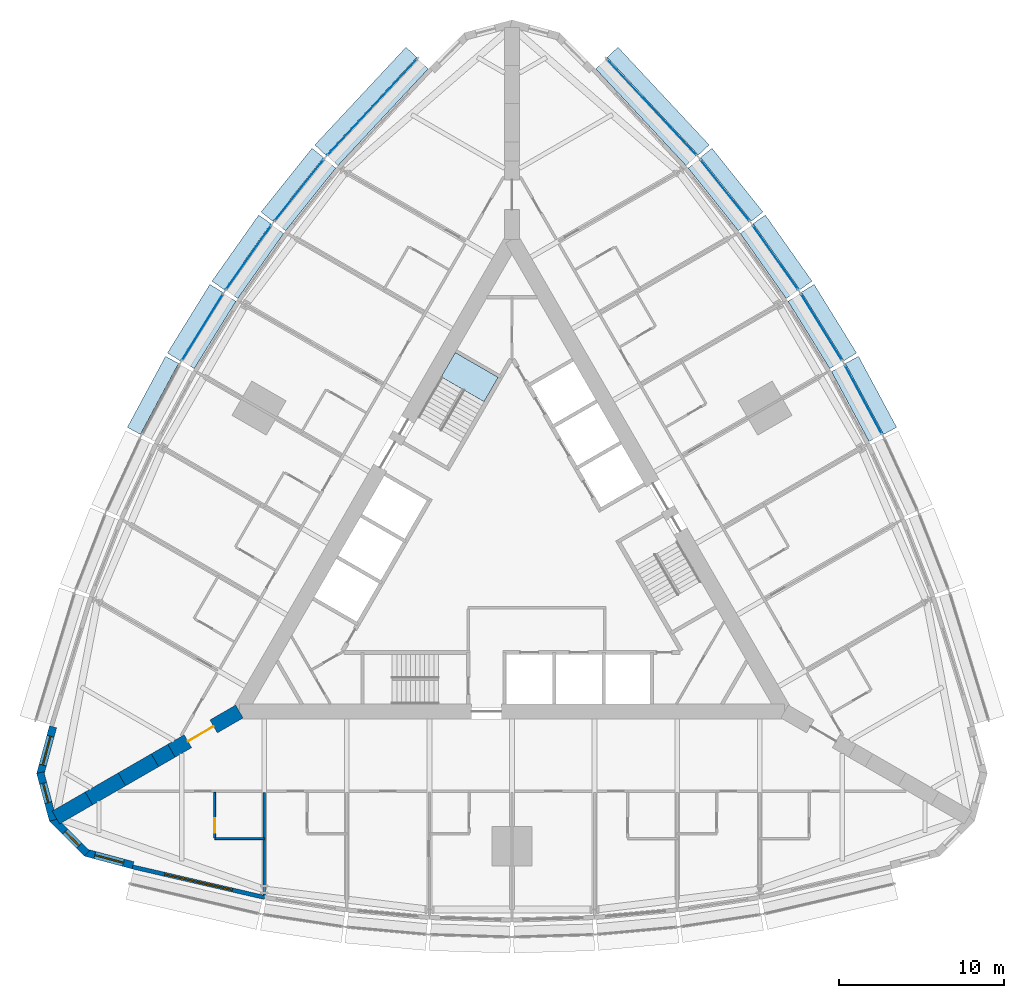
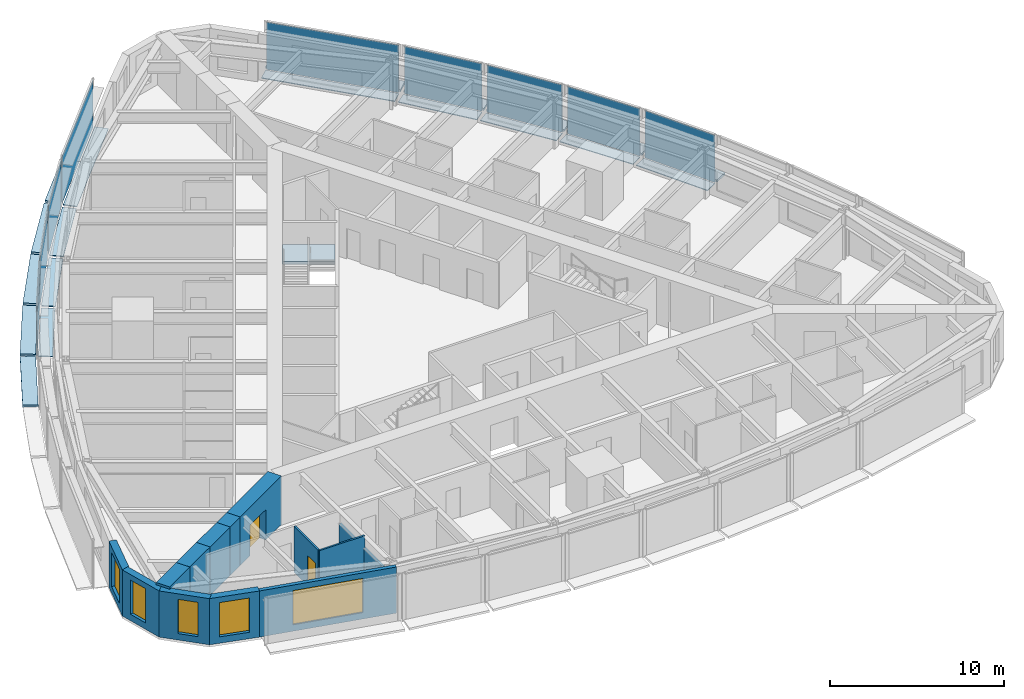
# One storey, part 7 of 14: 28 plates, 13 walls, 5 windows, 2 doors, 1 slab, 7 openings, 10 elements without a shape of their own.
"""IFC4 building model written with IfcOpenShell, lengths in metres."""

from ifc_helpers import new_model, si_unit, direction, frame, frame_2d, origin, origin_2d, place, context, subcontext, project, spatial, polyline, rectangle, outline, extrude, material, layer, layer_set, type_object, element, fill, aggregate, save


model = new_model("IFC4")

# Units and contexts
model_context = context("Model", 3, precision=1e-05, world=origin(), true_north=direction((0.0, 1.0)))
body_context = subcontext(model_context, "Body", "Model", "MODEL_VIEW")
ifc_project = project(units=[si_unit("LENGTHUNIT", "METRE"), si_unit("AREAUNIT", "SQUARE_METRE"), si_unit("VOLUMEUNIT", "CUBIC_METRE"), si_unit("PLANEANGLEUNIT", "RADIAN"), si_unit("MASSUNIT", "GRAM", prefix="KILO")], contexts=[model_context])

# Site, building, storey
site_placement = place(None, origin())
site = spatial("IfcSite", under=ifc_project, at=site_placement, CompositionType="ELEMENT")
building_placement = place(site_placement, origin())
building = spatial("IfcBuilding", under=site, at=building_placement, Name="Trikona Tower", CompositionType="ELEMENT")
storey_placement = place(building_placement, frame((0.0, 0.0, 72.699951171875)))
storey = spatial("IfcBuildingStorey", under=building, at=storey_placement, Name="L18", CompositionType="ELEMENT", Elevation=72.699951171875)

# Plates
ifc_material_1 = material(Name="Aluminium bar grating", Category="aluminium")
ifc_layer_1 = layer(ifc_material_1, 0.050048828125)
ifc_layer_set_1 = layer_set([ifc_layer_1], Name="Cavity catwalk grating")
plate_type_1 = type_object("IfcPlateType", Name="Cavity catwalk grating", PredefinedType="USERDEFINED", material=ifc_layer_set_1)
for number, where, z_axis, x_axis, name in (
    (1, (20.833740234375, 9.127197265625, -0.0498046875), (0.0, 0.0, 1.0), (-0.473422672721, 0.880835383572, 0.0), "Cavity catwalk L18-15"),
    (2, (18.3212890625, 13.47900390625, -0.0498046875), (0.0, 0.0, 1.0), (-0.526118935114, 0.85041099835, 0.0), "Cavity catwalk L18-16"),
):
    element("IfcPlate", number, at=place(storey_placement, frame(where, z_axis=z_axis, x_axis=x_axis)), inside=storey, type_object=plate_type_1, Name=name, ObjectType="CATWALK GRATING", PredefinedType="USERDEFINED", context=body_context, shape_type="SweptSolid", body=[
        extrude(rectangle(XDim=4.80224609375, YDim=0.820068359375, at=origin_2d()), origin(), (0.0, 0.0, 1.0), 0.050048828125),
    ])
plate_1_placement = place(storey_placement, frame((15.544189453125, 17.677734375, -0.0498046875), z_axis=(0.0, 0.0, 1.0), x_axis=(-0.576661909499, 0.816982889743, 0.0)))
element("IfcPlate", 3, at=plate_1_placement, inside=storey, type_object=plate_type_1, Name="Cavity catwalk L18-17", ObjectType="CATWALK GRATING", PredefinedType="USERDEFINED", context=body_context, shape_type="SweptSolid", body=[
    extrude(rectangle(XDim=4.82080078125, YDim=0.820068359375, at=origin_2d()), origin(), (0.0, 0.0, 1.0), 0.050048828125),
])
plate_2_placement = place(storey_placement, frame((12.502197265625, 21.72314453125, -0.0498046875), z_axis=(0.0, 0.0, 1.0), x_axis=(-0.624603618277, 0.780941944087, 0.0)))
element("IfcPlate", 4, at=plate_2_placement, inside=storey, type_object=plate_type_1, Name="Cavity catwalk L18-18", ObjectType="CATWALK GRATING", PredefinedType="USERDEFINED", context=body_context, shape_type="SweptSolid", body=[
    extrude(rectangle(XDim=4.857666015625, YDim=0.820068359375, at=origin_2d()), origin(), (0.0, 0.0, 1.0), 0.050048828125),
])
for number, where, z_axis, x_axis, name in (
    (5, (8.10107421875, 26.72314453125, -0.0498046875), (0.0, 0.0, 1.0), (-0.682298269147, 0.731073916864, 0.0), "Cavity catwalk L18-19"),
    (6, (-8.10107421875, 26.72314453125, -0.0498046875), (0.0, 0.0, 1.0), (-0.682298269147, -0.731073916864, 0.0), "Cavity catwalk L18-24"),
):
    element("IfcPlate", number, at=place(storey_placement, frame(where, z_axis=z_axis, x_axis=x_axis)), inside=storey, type_object=plate_type_1, Name=name, ObjectType="CATWALK GRATING", PredefinedType="USERDEFINED", context=body_context, shape_type="SweptSolid", body=[
        extrude(rectangle(XDim=8.01123046875, YDim=0.820068359375, at=origin_2d()), origin(), (0.0, 0.0, 1.0), 0.050048828125),
    ])
plate_3_placement = place(storey_placement, frame((-12.502197265625, 21.72314453125, -0.0498046875), z_axis=(0.0, 0.0, 1.0), x_axis=(-0.624603618277, -0.780941944087, 0.0)))
element("IfcPlate", 7, at=plate_3_placement, inside=storey, type_object=plate_type_1, Name="Cavity catwalk L18-25", ObjectType="CATWALK GRATING", PredefinedType="USERDEFINED", context=body_context, shape_type="SweptSolid", body=[
    extrude(rectangle(XDim=4.857666015625, YDim=0.820068359375, at=origin_2d()), origin(), (0.0, 0.0, 1.0), 0.050048828125),
])
plate_4_placement = place(storey_placement, frame((-15.544189453125, 17.677734375, -0.0498046875), z_axis=(0.0, 0.0, 1.0), x_axis=(-0.576661909499, -0.816982889743, 0.0)))
element("IfcPlate", 8, at=plate_4_placement, inside=storey, type_object=plate_type_1, Name="Cavity catwalk L18-26", ObjectType="CATWALK GRATING", PredefinedType="USERDEFINED", context=body_context, shape_type="SweptSolid", body=[
    extrude(rectangle(XDim=4.82080078125, YDim=0.820068359375, at=origin_2d()), origin(), (0.0, 0.0, 1.0), 0.050048828125),
])
plate_5_placement = place(storey_placement, frame((-18.3212890625, 13.47900390625, -0.0498046875), z_axis=(0.0, 0.0, 1.0), x_axis=(-0.526118935114, -0.85041099835, 0.0)))
element("IfcPlate", 9, at=plate_5_placement, inside=storey, type_object=plate_type_1, Name="Cavity catwalk L18-27", ObjectType="CATWALK GRATING", PredefinedType="USERDEFINED", context=body_context, shape_type="SweptSolid", body=[
    extrude(rectangle(XDim=4.80224609375, YDim=0.820068359375, at=origin_2d()), origin(), (0.0, 0.0, 1.0), 0.050048828125),
])

# Curtain wall, plate
ifc_material_2 = material(Name="Aluminium curtain wall system", Category="aluminium")
curtain_wall_type = type_object("IfcCurtainWallType", Name="Curtain wall DS1", PredefinedType="NOTDEFINED", material=ifc_material_2)
curtain_wall_1_placement = place(storey_placement, origin())
curtain_wall_1 = element("IfcCurtainWall", 10, at=curtain_wall_1_placement, inside=storey, type_object=curtain_wall_type, Name="Curtain wall DS1 L18", PredefinedType="NOTDEFINED")
ifc_material_3 = material(Name="Laminated clear glass", Category="glass")
ifc_layer_2 = layer(ifc_material_3, 0.028076171875)
ifc_layer_set_2 = layer_set([ifc_layer_2], Name="Glass panel DS1")
plate_type_2 = type_object("IfcPlateType", Name="Glass panel DS1", PredefinedType="CURTAIN_PANEL", material=ifc_layer_set_2)
plate_6_placement = place(storey_placement, frame((21.265380859375, 9.359130859375, 0.0), z_axis=(0.0, 0.0, 1.0), x_axis=(-0.473408350896, 0.880843080975, 0.0)))
plate_6 = element("IfcPlate", 11, at=plate_6_placement, type_object=plate_type_2, Name="CW-DS1 panel 1.1", PredefinedType="CURTAIN_PANEL", context=body_context, shape_type="SweptSolid", body=[
    extrude(rectangle(XDim=4.72216796875, YDim=0.028076171875, at=origin_2d()), origin(), (0.0, 0.0, 1.0), 3.320068359375),
])
aggregate(curtain_wall_1, [plate_6])

curtain_wall_2_placement = place(storey_placement, origin())
curtain_wall_2 = element("IfcCurtainWall", 12, at=curtain_wall_2_placement, inside=storey, type_object=curtain_wall_type, Name="Curtain wall DS1 L18", PredefinedType="NOTDEFINED")
plate_7_placement = place(storey_placement, frame((18.738037109375, 13.73681640625, 0.0), z_axis=(0.0, 0.0, 1.0), x_axis=(-0.526119790842, 0.850410468941, 0.0)))
plate_7 = element("IfcPlate", 13, at=plate_7_placement, type_object=plate_type_2, Name="CW-DS1 panel 1.1", PredefinedType="CURTAIN_PANEL", context=body_context, shape_type="SweptSolid", body=[
    extrude(rectangle(XDim=4.722412109375, YDim=0.028076171875, at=origin_2d()), origin(), (0.0, 0.0, 1.0), 3.320068359375),
])
aggregate(curtain_wall_2, [plate_7])

curtain_wall_3_placement = place(storey_placement, origin())
curtain_wall_3 = element("IfcCurtainWall", 14, at=curtain_wall_3_placement, inside=storey, type_object=curtain_wall_type, Name="Curtain wall DS1 L18", PredefinedType="NOTDEFINED")
plate_8_placement = place(storey_placement, frame((15.9443359375, 17.960205078125, 0.0), z_axis=(0.0, 0.0, 1.0), x_axis=(-0.576658362928, 0.816985393055, 0.0)))
plate_8 = element("IfcPlate", 15, at=plate_8_placement, type_object=plate_type_2, Name="CW-DS1 panel 1.1", PredefinedType="CURTAIN_PANEL", context=body_context, shape_type="SweptSolid", body=[
    extrude(rectangle(XDim=4.74072265625, YDim=0.028076171875, at=origin_2d()), origin(), (0.0, 0.0, 1.0), 3.320068359375),
])
aggregate(curtain_wall_3, [plate_8])

curtain_wall_4_placement = place(storey_placement, origin())
curtain_wall_4 = element("IfcCurtainWall", 16, at=curtain_wall_4_placement, inside=storey, type_object=curtain_wall_type, Name="Curtain wall DS1 L18", PredefinedType="NOTDEFINED")
plate_9_placement = place(storey_placement, frame((12.884765625, 22.029296875, 0.0), z_axis=(0.0, 0.0, 1.0), x_axis=(-0.624608599951, 0.780937959679, 0.0)))
plate_9 = element("IfcPlate", 17, at=plate_9_placement, type_object=plate_type_2, Name="CW-DS1 panel 1.1", PredefinedType="CURTAIN_PANEL", context=body_context, shape_type="SweptSolid", body=[
    extrude(rectangle(XDim=4.777587890625, YDim=0.028076171875, at=origin_2d()), origin(), (0.0, 0.0, 1.0), 3.320068359375),
])
aggregate(curtain_wall_4, [plate_9])

curtain_wall_5_placement = place(storey_placement, origin())
curtain_wall_5 = element("IfcCurtainWall", 18, at=curtain_wall_5_placement, inside=storey, type_object=curtain_wall_type, Name="Curtain wall DS1 L18", PredefinedType="NOTDEFINED")
plate_10_placement = place(storey_placement, frame((8.459228515625, 27.057373046875, 0.0), z_axis=(0.0, 0.0, 1.0), x_axis=(-0.682295351967, 0.731076639405, 0.0)))
plate_10 = element("IfcPlate", 19, at=plate_10_placement, type_object=plate_type_2, Name="CW-DS1 panel 1.1", PredefinedType="CURTAIN_PANEL", context=body_context, shape_type="SweptSolid", body=[
    extrude(rectangle(XDim=7.93115234375, YDim=0.028076171875, at=origin_2d()), origin(), (0.0, 0.0, 1.0), 3.320068359375),
])
aggregate(curtain_wall_5, [plate_10])

curtain_wall_6_placement = place(storey_placement, origin())
curtain_wall_6 = element("IfcCurtainWall", 20, at=curtain_wall_6_placement, inside=storey, type_object=curtain_wall_type, Name="Curtain wall DS1 L18", PredefinedType="NOTDEFINED")
plate_11_placement = place(storey_placement, frame((-8.459228515625, 27.057373046875, 0.0), z_axis=(0.0, 0.0, 1.0), x_axis=(-0.682295351967, -0.731076639405, 0.0)))
plate_11 = element("IfcPlate", 21, at=plate_11_placement, type_object=plate_type_2, Name="CW-DS1 panel 1.1", PredefinedType="CURTAIN_PANEL", context=body_context, shape_type="SweptSolid", body=[
    extrude(rectangle(XDim=7.93115234375, YDim=0.028076171875, at=origin_2d()), origin(), (0.0, 0.0, 1.0), 3.320068359375),
])
aggregate(curtain_wall_6, [plate_11])

curtain_wall_7_placement = place(storey_placement, origin())
curtain_wall_7 = element("IfcCurtainWall", 22, at=curtain_wall_7_placement, inside=storey, type_object=curtain_wall_type, Name="Curtain wall DS1 L18", PredefinedType="NOTDEFINED")
plate_12_placement = place(storey_placement, frame((-12.884765625, 22.029296875, 0.0), z_axis=(0.0, 0.0, 1.0), x_axis=(-0.624608599951, -0.780937959679, 0.0)))
plate_12 = element("IfcPlate", 23, at=plate_12_placement, type_object=plate_type_2, Name="CW-DS1 panel 1.1", PredefinedType="CURTAIN_PANEL", context=body_context, shape_type="SweptSolid", body=[
    extrude(rectangle(XDim=4.777587890625, YDim=0.028076171875, at=origin_2d()), origin(), (0.0, 0.0, 1.0), 3.320068359375),
])
aggregate(curtain_wall_7, [plate_12])

curtain_wall_8_placement = place(storey_placement, origin())
curtain_wall_8 = element("IfcCurtainWall", 24, at=curtain_wall_8_placement, inside=storey, type_object=curtain_wall_type, Name="Curtain wall DS1 L18", PredefinedType="NOTDEFINED")
plate_13_placement = place(storey_placement, frame((-15.9443359375, 17.960205078125, 0.0), z_axis=(0.0, 0.0, 1.0), x_axis=(-0.576658362928, -0.816985393055, 0.0)))
plate_13 = element("IfcPlate", 25, at=plate_13_placement, type_object=plate_type_2, Name="CW-DS1 panel 1.1", PredefinedType="CURTAIN_PANEL", context=body_context, shape_type="SweptSolid", body=[
    extrude(rectangle(XDim=4.74072265625, YDim=0.028076171875, at=origin_2d()), origin(), (0.0, 0.0, 1.0), 3.320068359375),
])
aggregate(curtain_wall_8, [plate_13])

curtain_wall_9_placement = place(storey_placement, origin())
curtain_wall_9 = element("IfcCurtainWall", 26, at=curtain_wall_9_placement, inside=storey, type_object=curtain_wall_type, Name="Curtain wall DS1 L18", PredefinedType="NOTDEFINED")
plate_14_placement = place(storey_placement, frame((-18.738037109375, 13.73681640625, 0.0), z_axis=(0.0, 0.0, 1.0), x_axis=(-0.526119790842, -0.850410468941, 0.0)))
plate_14 = element("IfcPlate", 27, at=plate_14_placement, type_object=plate_type_2, Name="CW-DS1 panel 1.1", PredefinedType="CURTAIN_PANEL", context=body_context, shape_type="SweptSolid", body=[
    extrude(rectangle(XDim=4.722412109375, YDim=0.028076171875, at=origin_2d()), origin(), (0.0, 0.0, 1.0), 3.320068359375),
])
aggregate(curtain_wall_9, [plate_14])

# Plates
ifc_material_4 = material(Name="Aluminium plate fin, pale anodised, on stainless steel outriggers", Category="steel")
ifc_layer_3 = layer(ifc_material_4, 0.14990234375)
ifc_layer_set_3 = layer_set([ifc_layer_3], Name="Outer skin fin 900")
plate_type_3 = type_object("IfcPlateType", Name="Outer skin fin 900", PredefinedType="USERDEFINED", material=ifc_layer_set_3)
for number, where, z_axis, x_axis, name in (
    (28, (21.732421875, 9.610107421875, 0.0), (0.0, 0.0, 1.0), (-0.473422672721, 0.880835383572, 0.0), "Outer skin fin L18-15"),
    (29, (19.188720703125, 14.015625, 0.0), (0.0, 0.0, 1.0), (-0.526118935114, 0.85041099835, 0.0), "Outer skin fin L18-16"),
):
    element("IfcPlate", number, at=place(storey_placement, frame(where, z_axis=z_axis, x_axis=x_axis)), inside=storey, type_object=plate_type_3, Name=name, ObjectType="FIN", PredefinedType="USERDEFINED", context=body_context, shape_type="SweptSolid", body=[
        extrude(rectangle(XDim=4.88232421875, YDim=0.89990234375, at=origin_2d()), origin(), (0.0, 0.0, 1.0), 0.14990234375),
    ])
plate_15_placement = place(storey_placement, frame((16.37744140625, 18.265869140625, 0.0), z_axis=(0.0, 0.0, 1.0), x_axis=(-0.576661909499, 0.816982889743, 0.0)))
element("IfcPlate", 30, at=plate_15_placement, inside=storey, type_object=plate_type_3, Name="Outer skin fin L18-17", ObjectType="FIN", PredefinedType="USERDEFINED", context=body_context, shape_type="SweptSolid", body=[
    extrude(rectangle(XDim=4.90087890625, YDim=0.89990234375, at=origin_2d()), origin(), (0.0, 0.0, 1.0), 0.14990234375),
])
plate_16_placement = place(storey_placement, frame((13.298583984375, 22.360107421875, 0.0), z_axis=(0.0, 0.0, 1.0), x_axis=(-0.624603618277, 0.780941944087, 0.0)))
element("IfcPlate", 31, at=plate_16_placement, inside=storey, type_object=plate_type_3, Name="Outer skin fin L18-18", ObjectType="FIN", PredefinedType="USERDEFINED", context=body_context, shape_type="SweptSolid", body=[
    extrude(rectangle(XDim=4.9375, YDim=0.89990234375, at=origin_2d()), origin(), (0.0, 0.0, 1.0), 0.14990234375),
])
for number, where, z_axis, x_axis, name in (
    (32, (8.8466796875, 27.419189453125, 0.0), (0.0, 0.0, 1.0), (-0.682298269147, 0.731073916864, 0.0), "Outer skin fin L18-19"),
    (33, (-8.8466796875, 27.419189453125, 0.0), (0.0, 0.0, 1.0), (-0.682298269147, -0.731073916864, 0.0), "Outer skin fin L18-24"),
):
    element("IfcPlate", number, at=place(storey_placement, frame(where, z_axis=z_axis, x_axis=x_axis)), inside=storey, type_object=plate_type_3, Name=name, ObjectType="FIN", PredefinedType="USERDEFINED", context=body_context, shape_type="SweptSolid", body=[
        extrude(rectangle(XDim=8.09130859375, YDim=0.89990234375, at=origin_2d()), origin(), (0.0, 0.0, 1.0), 0.14990234375),
    ])
plate_17_placement = place(storey_placement, frame((-13.298583984375, 22.360107421875, 0.0), z_axis=(0.0, 0.0, 1.0), x_axis=(-0.624603618277, -0.780941944087, 0.0)))
element("IfcPlate", 34, at=plate_17_placement, inside=storey, type_object=plate_type_3, Name="Outer skin fin L18-25", ObjectType="FIN", PredefinedType="USERDEFINED", context=body_context, shape_type="SweptSolid", body=[
    extrude(rectangle(XDim=4.9375, YDim=0.89990234375, at=origin_2d()), origin(), (0.0, 0.0, 1.0), 0.14990234375),
])
plate_18_placement = place(storey_placement, frame((-16.37744140625, 18.265869140625, 0.0), z_axis=(0.0, 0.0, 1.0), x_axis=(-0.576661909499, -0.816982889743, 0.0)))
element("IfcPlate", 35, at=plate_18_placement, inside=storey, type_object=plate_type_3, Name="Outer skin fin L18-26", ObjectType="FIN", PredefinedType="USERDEFINED", context=body_context, shape_type="SweptSolid", body=[
    extrude(rectangle(XDim=4.90087890625, YDim=0.89990234375, at=origin_2d()), origin(), (0.0, 0.0, 1.0), 0.14990234375),
])
for number, where, z_axis, x_axis, name in (
    (36, (-19.188720703125, 14.015625, 0.0), (0.0, 0.0, 1.0), (-0.526118935114, -0.85041099835, 0.0), "Outer skin fin L18-27"),
    (37, (-21.732421875, 9.610107421875, 0.0), (0.0, 0.0, 1.0), (-0.473422672721, -0.880835383572, 0.0), "Outer skin fin L18-28"),
):
    element("IfcPlate", number, at=place(storey_placement, frame(where, z_axis=z_axis, x_axis=x_axis)), inside=storey, type_object=plate_type_3, Name=name, ObjectType="FIN", PredefinedType="USERDEFINED", context=body_context, shape_type="SweptSolid", body=[
        extrude(rectangle(XDim=4.88232421875, YDim=0.89990234375, at=origin_2d()), origin(), (0.0, 0.0, 1.0), 0.14990234375),
    ])

# Stair, slab
ifc_material_5 = material(Name="Concrete f'c 5000 psi", Category="concrete")
stair_type = type_object("IfcStairType", Name="Core stair", PredefinedType="HALF_TURN_STAIR", material=ifc_material_5)
stair_placement = place(storey_placement, origin())
stair = element("IfcStair", 38, at=stair_placement, inside=storey, type_object=stair_type, Name="Stair C L18", PredefinedType="HALF_TURN_STAIR")
ifc_material_6 = material(Name="Concrete f'c 5000 psi", Category="concrete")
ifc_layer_4 = layer(ifc_material_6, 0.199951171875)
ifc_layer_set_4 = layer_set([ifc_layer_4], Name="Stair landing 200")
slab_type = type_object("IfcSlabType", Name="Stair landing 200", PredefinedType="LANDING", material=ifc_layer_set_4)
slab_placement = place(storey_placement, frame((0.0, 0.0, 1.5)))
slab = element("IfcSlab", 39, at=slab_placement, type_object=slab_type, Name="ST-C landing 2", PredefinedType="LANDING", context=body_context, shape_type="SweptSolid", body=[
    extrude(outline(polyline([(-0.837158203125, 10.702392578125), (-1.688720703125, 9.2275390625), (-4.286865234375, 10.7275390625), (-3.435302734375, 12.202392578125), (-0.837158203125, 10.702392578125)])), origin(), (0.0, 0.0, 1.0), 0.199951171875),
])
aggregate(stair, [slab])

# Wall
ifc_material_7 = material(Name="Metal stud and cement board", Category="gypsum")
ifc_layer_5 = layer(ifc_material_7, 0.1201171875)
ifc_layer_set_5 = layer_set([ifc_layer_5], Name="Bathroom wall 120")
wall_type_1 = type_object("IfcWallType", Name="Bathroom wall 120", PredefinedType="PLUMBINGWALL", material=ifc_layer_set_5)
wall_1_placement = place(storey_placement, frame((-18.0, -17.226318359375, 0.0), z_axis=(0.0, 0.0, 1.0), x_axis=(1.0, 0.0, 0.0)))
element("IfcWall", 40, at=wall_1_placement, inside=storey, type_object=wall_type_1, Name="Bathroom wall 1801", PredefinedType="PLUMBINGWALL", context=body_context, shape_type="SweptSolid", body=[
    extrude(rectangle(XDim=3.0, YDim=0.1201171875, at=frame_2d((1.5, 0.0))), origin(), (0.0, 0.0, 1.0), 3.235107421875),
])

# Wall, opening, door
wall_2_placement = place(storey_placement, frame((-18.0, -14.42626953125, 0.0), z_axis=(0.0, 0.0, 1.0), x_axis=(0.0, -1.0, 0.0)))
wall_2 = element("IfcWall", 41, at=wall_2_placement, inside=storey, type_object=wall_type_1, Name="Bathroom wall 1801", PredefinedType="PLUMBINGWALL", context=body_context, shape_type="SweptSolid", body=[
    extrude(rectangle(XDim=2.739990234375, YDim=0.1201171875, at=frame_2d((1.3701171875, 0.0))), origin(), (0.0, 0.0, 1.0), 3.235107421875),
])
opening_1_placement = place(wall_2_placement, frame((1.550048828125, 0.0, 0.0)))
opening_1 = element("IfcOpeningElement", 42, at=opening_1_placement, cuts=wall_2, Name="Opening D2", PredefinedType="OPENING", context=body_context, shape_type="SweptSolid", body=[
    extrude(rectangle(XDim=0.89990234375, YDim=2.1298828125, at=frame_2d((0.449951171875, 1.06494140625))), frame((0.0, 0.070068359375, 0.0), z_axis=(0.0, -1.0, 0.0), x_axis=(1.0, 0.0, 0.0)), (0.0, 0.0, 1.0), 0.14013671875),
])
ifc_material_8 = material(Name="Steel door frame with solid-core timber leaf", Category="steel")
door_type_1 = type_object("IfcDoorType", Name="Bathroom door 900x2130", OperationType="SLIDING_TO_LEFT", PredefinedType="DOOR", material=ifc_material_8)
door_1_placement = place(opening_1_placement, origin())
door_1 = element("IfcDoor", 43, at=door_1_placement, inside=storey, type_object=door_type_1, Name="Bathroom door 1801", OperationType="SLIDING_TO_LEFT", OverallHeight=2.1298828125, OverallWidth=0.89990234375, PredefinedType="DOOR", context=body_context, shape_type="SweptSolid", body=[
    extrude(rectangle(XDim=0.89990234375, YDim=2.1298828125, at=frame_2d((0.449951171875, 1.06494140625))), frame((0.0, 0.02490234375, 0.0), z_axis=(0.0, -1.0, 0.0), x_axis=(1.0, 0.0, 0.0)), (0.0, 0.0, 1.0), 0.050048828125),
])
fill(opening_1, door_1)

# Wall, opening, window
ifc_material_9 = material(Name="Brick-faced precast concrete", Category="masonry")
ifc_layer_6 = layer(ifc_material_9, 0.449951171875)
ifc_layer_set_6 = layer_set([ifc_layer_6], Name="Brick-faced corner wall 450")
wall_type_2 = type_object("IfcWallType", Name="Brick-faced corner wall 450", PredefinedType="SOLIDWALL", material=ifc_layer_set_6)
wall_3_placement = place(storey_placement, frame((-27.78271484375, -10.450439453125, 0.0), z_axis=(0.0, 0.0, 1.0), x_axis=(-0.258780998834, -0.965936019953, 0.0)))
wall_3 = element("IfcWall", 44, at=wall_3_placement, inside=storey, type_object=wall_type_2, Name="External wall L18-32", PredefinedType="SOLIDWALL", context=body_context, shape_type="SweptSolid", body=[
    extrude(rectangle(XDim=2.98876953125, YDim=0.449951171875, at=frame_2d((1.494384765625, 0.0))), origin(), (0.0, 0.0, 1.0), 3.235107421875),
])
opening_2_placement = place(wall_3_placement, frame((0.59423828125, 0.0, 0.449951171875)))
opening_2 = element("IfcOpeningElement", 45, at=opening_2_placement, cuts=wall_3, Name="Opening W1824", PredefinedType="OPENING", context=body_context, shape_type="SweptSolid", body=[
    extrude(rectangle(XDim=1.800048828125, YDim=2.39990234375, at=frame_2d((0.89990234375, 1.199951171875))), frame((0.0, 0.23486328125, 0.0), z_axis=(0.0, -1.0, 0.0), x_axis=(1.0, 0.0, 0.0)), (0.0, 0.0, 1.0), 0.469970703125),
])
ifc_material_10 = material(Name="Aluminium-framed double glazing", Category="aluminium")
window_type_1 = type_object("IfcWindowType", Name="Window 1800x2400", PartitioningType="SINGLE_PANEL", PredefinedType="WINDOW", material=ifc_material_10)
window_1_placement = place(opening_2_placement, origin())
window_1 = element("IfcWindow", 46, at=window_1_placement, inside=storey, type_object=window_type_1, Name="Window 1816", OverallHeight=2.39990234375, OverallWidth=1.800048828125, PartitioningType="SINGLE_PANEL", PredefinedType="WINDOW", context=body_context, shape_type="SweptSolid", body=[
    extrude(rectangle(XDim=1.800048828125, YDim=2.39990234375, at=frame_2d((0.89990234375, 1.199951171875))), frame((0.0, 0.030029296875, 0.0), z_axis=(0.0, -1.0, 0.0), x_axis=(1.0, 0.0, 0.0)), (0.0, 0.0, 1.0), 0.06005859375),
])
fill(opening_2, window_1)

wall_4_placement = place(storey_placement, frame((-28.55615234375, -13.220947265625, 0.0), z_axis=(0.0, 0.0, 1.0), x_axis=(0.258801419081, -0.965930548995, 0.0)))
wall_4 = element("IfcWall", 47, at=wall_4_placement, inside=storey, type_object=wall_type_2, Name="External wall L18-33", PredefinedType="SOLIDWALL", context=body_context, shape_type="SweptSolid", body=[
    extrude(outline(polyline([(2.988525390625, 0.22509765625), (2.928955078125, 0.22509765625), (2.437255859375, 0.09326171875), (2.402099609375, 0.22509765625), (0.0, 0.22509765625), (0.0, -0.22509765625), (2.988525390625, -0.22509765625), (2.988525390625, 0.22509765625)])), origin(), (0.0, 0.0, 1.0), 3.235107421875),
])
opening_3_placement = place(wall_4_placement, frame((0.676025390625, 0.0, 0.449951171875)))
opening_3 = element("IfcOpeningElement", 48, at=opening_3_placement, cuts=wall_4, Name="Opening W1224", PredefinedType="OPENING", context=body_context, shape_type="SweptSolid", body=[
    extrude(rectangle(XDim=1.199951171875, YDim=2.39990234375, at=frame_2d((0.60009765625, 1.199951171875))), frame((0.0, 0.23486328125, 0.0), z_axis=(0.0, -1.0, 0.0), x_axis=(1.0, 0.0, 0.0)), (0.0, 0.0, 1.0), 0.469970703125),
])
ifc_material_11 = material(Name="Aluminium-framed double glazing", Category="aluminium")
window_type_2 = type_object("IfcWindowType", Name="Window 1200x2400", PartitioningType="SINGLE_PANEL", PredefinedType="WINDOW", material=ifc_material_11)
window_2_placement = place(opening_3_placement, origin())
window_2 = element("IfcWindow", 49, at=window_2_placement, inside=storey, type_object=window_type_2, Name="Window 1816", OverallHeight=2.39990234375, OverallWidth=1.199951171875, PartitioningType="SINGLE_PANEL", PredefinedType="WINDOW", context=body_context, shape_type="SweptSolid", body=[
    extrude(rectangle(XDim=1.199951171875, YDim=2.39990234375, at=frame_2d((0.60009765625, 1.199951171875))), frame((0.0, 0.030029296875, 0.0), z_axis=(0.0, -1.0, 0.0), x_axis=(1.0, 0.0, 0.0)), (0.0, 0.0, 1.0), 0.06005859375),
])
fill(opening_3, window_2)

wall_5_placement = place(storey_placement, frame((-27.8408203125, -16.006591796875, 0.0), z_axis=(0.0, 0.0, 1.0), x_axis=(0.707025086683, -0.707188466253, 0.0)))
wall_5 = element("IfcWall", 50, at=wall_5_placement, inside=storey, type_object=wall_type_2, Name="External wall L18-34", PredefinedType="SOLIDWALL", context=body_context, shape_type="SweptSolid", body=[
    extrude(outline(polyline([(2.988525390625, 0.22509765625), (0.58642578125, 0.22509765625), (0.551025390625, 0.093017578125), (0.058837890625, 0.22509765625), (0.0, 0.22509765625), (0.0, -0.22509765625), (2.988525390625, -0.22509765625), (2.988525390625, 0.22509765625)])), origin(), (0.0, 0.0, 1.0), 3.235107421875),
])
opening_4_placement = place(wall_5_placement, frame((1.112548828125, 0.0, 0.449951171875)))
opening_4 = element("IfcOpeningElement", 51, at=opening_4_placement, cuts=wall_5, Name="Opening W1224", PredefinedType="OPENING", context=body_context, shape_type="SweptSolid", body=[
    extrude(rectangle(XDim=1.199951171875, YDim=2.39990234375, at=frame_2d((0.60009765625, 1.199951171875))), frame((0.0, 0.23486328125, 0.0), z_axis=(0.0, -1.0, 0.0), x_axis=(1.0, 0.0, 0.0)), (0.0, 0.0, 1.0), 0.469970703125),
])
window_3_placement = place(opening_4_placement, origin())
window_3 = element("IfcWindow", 52, at=window_3_placement, inside=storey, type_object=window_type_2, Name="Window 1801", OverallHeight=2.39990234375, OverallWidth=1.199951171875, PartitioningType="SINGLE_PANEL", PredefinedType="WINDOW", context=body_context, shape_type="SweptSolid", body=[
    extrude(rectangle(XDim=1.199951171875, YDim=2.39990234375, at=frame_2d((0.60009765625, 1.199951171875))), frame((0.0, 0.030029296875, 0.0), z_axis=(0.0, -1.0, 0.0), x_axis=(1.0, 0.0, 0.0)), (0.0, 0.0, 1.0), 0.06005859375),
])
fill(opening_4, window_3)

wall_6_placement = place(storey_placement, frame((-25.82861328125, -18.061767578125, 0.0), z_axis=(0.0, 0.0, 1.0), x_axis=(0.965930548995, -0.258801419081, 0.0)))
wall_6 = element("IfcWall", 53, at=wall_6_placement, inside=storey, type_object=wall_type_2, Name="External wall L18-35", PredefinedType="SOLIDWALL", context=body_context, shape_type="SweptSolid", body=[
    extrude(rectangle(XDim=2.988525390625, YDim=0.449951171875, at=frame_2d((1.494140625, 0.0))), origin(), (0.0, 0.0, 1.0), 3.235107421875),
])
opening_5_placement = place(wall_6_placement, frame((0.59423828125, 0.0, 0.449951171875)))
opening_5 = element("IfcOpeningElement", 54, at=opening_5_placement, cuts=wall_6, Name="Opening W1824", PredefinedType="OPENING", context=body_context, shape_type="SweptSolid", body=[
    extrude(rectangle(XDim=1.800048828125, YDim=2.39990234375, at=frame_2d((0.89990234375, 1.199951171875))), frame((0.0, 0.23486328125, 0.0), z_axis=(0.0, -1.0, 0.0), x_axis=(1.0, 0.0, 0.0)), (0.0, 0.0, 1.0), 0.469970703125),
])
window_4_placement = place(opening_5_placement, origin())
window_4 = element("IfcWindow", 55, at=window_4_placement, inside=storey, type_object=window_type_1, Name="Window 1801", OverallHeight=2.39990234375, OverallWidth=1.800048828125, PartitioningType="SINGLE_PANEL", PredefinedType="WINDOW", context=body_context, shape_type="SweptSolid", body=[
    extrude(rectangle(XDim=1.800048828125, YDim=2.39990234375, at=frame_2d((0.89990234375, 1.199951171875))), frame((0.0, 0.030029296875, 0.0), z_axis=(0.0, -1.0, 0.0), x_axis=(1.0, 0.0, 0.0)), (0.0, 0.0, 1.0), 0.06005859375),
])
fill(opening_5, window_4)

# Wall, opening, door
ifc_material_12 = material(Name="Concrete f'c 10000 psi", Category="concrete")
ifc_layer_7 = layer(ifc_material_12, 0.89990234375)
ifc_layer_set_7 = layer_set([ifc_layer_7], Name="Buttress wall 900")
wall_type_3 = type_object("IfcWallType", Name="Buttress wall 900", PredefinedType="SHEAR", material=ifc_layer_set_7)
wall_7_placement = place(storey_placement, frame((-16.5, -9.5263671875, 0.0), z_axis=(0.0, 0.0, 1.0), x_axis=(-0.866031398331, -0.499989616998, 0.0)))
wall_7 = element("IfcWall", 56, at=wall_7_placement, inside=storey, type_object=wall_type_3, Name="Buttress wall 3", PredefinedType="SHEAR", context=body_context, shape_type="SweptSolid", body=[
    extrude(rectangle(XDim=4.74609375, YDim=0.89990234375, at=frame_2d((2.373046875, 0.0))), origin(), (0.0, 0.0, 1.0), 3.400146484375),
])
opening_6_placement = place(wall_7_placement, frame((1.800048828125, 0.0, 0.0)))
opening_6 = element("IfcOpeningElement", 57, at=opening_6_placement, cuts=wall_7, Name="Opening D10", PredefinedType="OPENING", context=body_context, shape_type="SweptSolid", body=[
    extrude(rectangle(XDim=1.800048828125, YDim=2.1298828125, at=frame_2d((0.89990234375, 1.06494140625))), frame((0.0, 0.4599609375, 0.0), z_axis=(0.0, -1.0, 0.0), x_axis=(1.0, 0.0, 0.0)), (0.0, 0.0, 1.0), 0.919921875),
])
ifc_material_13 = material(Name="Hollow metal door and frame", Category="steel")
door_type_2 = type_object("IfcDoorType", Name="Cross-corridor door pair 1800x2130", OperationType="DOUBLE_DOOR_DOUBLE_SWING", PredefinedType="DOOR", material=ifc_material_13)
door_2_placement = place(opening_6_placement, origin())
door_2 = element("IfcDoor", 58, at=door_2_placement, inside=storey, type_object=door_type_2, Name="Cross-corridor door 3", OperationType="DOUBLE_DOOR_DOUBLE_SWING", OverallHeight=2.1298828125, OverallWidth=1.800048828125, PredefinedType="DOOR", context=body_context, shape_type="SweptSolid", body=[
    extrude(rectangle(XDim=1.800048828125, YDim=2.1298828125, at=frame_2d((0.89990234375, 1.06494140625))), frame((0.0, 0.02490234375, 0.0), z_axis=(0.0, -1.0, 0.0), x_axis=(1.0, 0.0, 0.0)), (0.0, 0.0, 1.0), 0.050048828125),
])
fill(opening_6, door_2)

# Walls
wall_8_placement = place(storey_placement, frame((-20.6103515625, -11.8994140625, 0.0), z_axis=(0.0, 0.0, 1.0), x_axis=(-0.866009537788, -0.500027479704, 0.0)))
element("IfcWall", 59, at=wall_8_placement, inside=storey, type_object=wall_type_3, Name="Buttress wall 3 part 2", PredefinedType="SHEAR", context=body_context, shape_type="SweptSolid", body=[
    extrude(rectangle(XDim=1.15478515625, YDim=0.89990234375, at=frame_2d((0.577392578125, 0.0))), origin(), (0.0, 0.0, 1.0), 3.400146484375),
])
for number, where, z_axis, x_axis, name in (
    (60, (-21.6103515625, -12.476806640625, 0.0), (0.0, 0.0, 1.0), (-0.866055313784, -0.499948190782, 0.0), "Buttress wall 3 part 3"),
    (61, (-23.6103515625, -13.63134765625, 0.0), (0.0, 0.0, 1.0), (-0.866009537788, -0.500027479704, 0.0), "Buttress wall 3 part 4"),
    (62, (-25.6103515625, -14.7861328125, 0.0), (0.0, 0.0, 1.0), (-0.866009537788, -0.500027479704, 0.0), "Buttress wall 3 part 5"),
):
    element("IfcWall", number, at=place(storey_placement, frame(where, z_axis=z_axis, x_axis=x_axis)), inside=storey, type_object=wall_type_3, Name=name, PredefinedType="SHEAR", context=body_context, shape_type="SweptSolid", body=[
        extrude(rectangle(XDim=2.309326171875, YDim=0.89990234375, at=frame_2d((1.15478515625, 0.0))), origin(), (0.0, 0.0, 1.0), 3.400146484375),
    ])

# Wall, opening, window
ifc_material_14 = material(Name="Insulated precast concrete spandrel panel", Category="concrete")
ifc_layer_8 = layer(ifc_material_14, 0.25)
ifc_layer_set_8 = layer_set([ifc_layer_8], Name="Inner skin wall 250")
wall_type_4 = type_object("IfcWallType", Name="Inner skin wall 250", PredefinedType="STANDARD", material=ifc_layer_set_8)
wall_9_placement = place(storey_placement, frame((-22.9716796875, -18.930908203125, 0.0), z_axis=(0.0, 0.0, 1.0), x_axis=(0.974279327392, -0.225343720163, 0.0)))
wall_9 = element("IfcWall", 63, at=wall_9_placement, inside=storey, type_object=wall_type_4, Name="External wall L18-00", PredefinedType="STANDARD", context=body_context, shape_type="SweptSolid", body=[
    extrude(rectangle(XDim=8.211181640625, YDim=0.25, at=frame_2d((4.10546875, 0.0))), origin(), (0.0, 0.0, 1.0), 3.235107421875),
])
opening_7_placement = place(wall_9_placement, frame((2.005615234375, 0.0, 0.449951171875)))
opening_7 = element("IfcOpeningElement", 64, at=opening_7_placement, cuts=wall_9, Name="Opening W4224", PredefinedType="OPENING", context=body_context, shape_type="SweptSolid", body=[
    extrude(rectangle(XDim=4.199951171875, YDim=2.39990234375, at=frame_2d((2.10009765625, 1.199951171875))), frame((0.0, 0.135009765625, 0.0), z_axis=(0.0, -1.0, 0.0), x_axis=(1.0, 0.0, 0.0)), (0.0, 0.0, 1.0), 0.27001953125),
])
ifc_material_15 = material(Name="Aluminium-framed double glazing", Category="aluminium")
window_type_3 = type_object("IfcWindowType", Name="Window 4200x2400", PartitioningType="SINGLE_PANEL", PredefinedType="WINDOW", material=ifc_material_15)
window_5_placement = place(opening_7_placement, origin())
window_5 = element("IfcWindow", 65, at=window_5_placement, inside=storey, type_object=window_type_3, Name="Window 1801", OverallHeight=2.39990234375, OverallWidth=4.199951171875, PartitioningType="SINGLE_PANEL", PredefinedType="WINDOW", context=body_context, shape_type="SweptSolid", body=[
    extrude(rectangle(XDim=4.199951171875, YDim=2.39990234375, at=frame_2d((2.10009765625, 1.199951171875))), frame((0.0, 0.030029296875, 0.0), z_axis=(0.0, -1.0, 0.0), x_axis=(1.0, 0.0, 0.0)), (0.0, 0.0, 1.0), 0.06005859375),
])
fill(opening_7, window_5)

# Wall
ifc_material_16 = material(Name="Metal stud and gypsum board, 1-hour acoustic", Category="gypsum")
ifc_layer_9 = layer(ifc_material_16, 0.14990234375)
ifc_layer_set_9 = layer_set([ifc_layer_9], Name="Party wall 150")
wall_type_5 = type_object("IfcWallType", Name="Party wall 150", PredefinedType="PARTITIONING", material=ifc_layer_set_9)
wall_10_placement = place(storey_placement, frame((-15.0, -14.42626953125, 0.0), z_axis=(0.0, 0.0, 1.0), x_axis=(0.0, -1.0, 0.0)))
element("IfcWall", 66, at=wall_10_placement, inside=storey, type_object=wall_type_5, Name="Partition L18 F1 u-15", PredefinedType="PARTITIONING", context=body_context, shape_type="SweptSolid", body=[
    extrude(rectangle(XDim=6.22021484375, YDim=0.14990234375, at=frame_2d((3.110107421875, 0.0))), origin(), (0.0, 0.0, 1.0), 2.38916015625),
])

save(model, "model.ifc")
